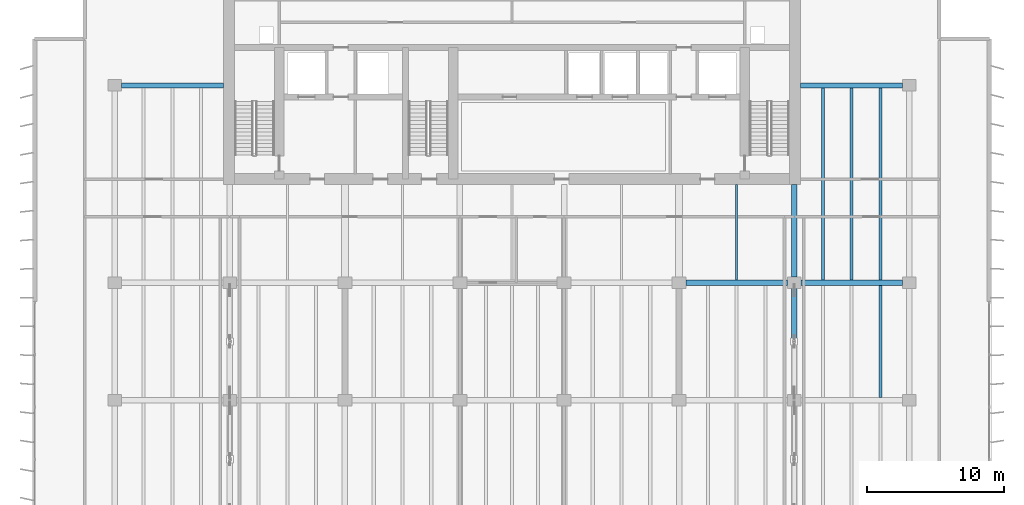
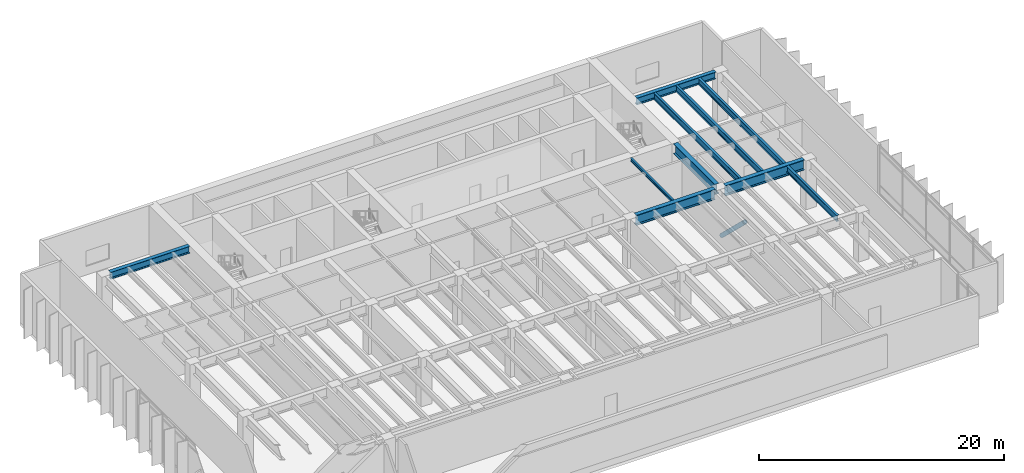
# One storey, part 8 of 18: 10 beams, 1 member.
"""IFC4 building model written with IfcOpenShell, lengths in metres."""

from ifc_helpers import new_model, si_unit, direction, frame, origin, origin_2d, place, context, subcontext, project, spatial, hollow_circle, i_section, extrude, material, material_profile, profile_set, type_object, element, save


model = new_model("IFC4")

# Units and contexts
model_context = context("Model", 3, precision=1e-05, world=origin(), true_north=direction((0.0, 1.0)))
body_context = subcontext(model_context, "Body", "Model", "MODEL_VIEW")
ifc_project = project(units=[si_unit("LENGTHUNIT", "METRE"), si_unit("AREAUNIT", "SQUARE_METRE"), si_unit("VOLUMEUNIT", "CUBIC_METRE"), si_unit("PLANEANGLEUNIT", "RADIAN"), si_unit("MASSUNIT", "GRAM", prefix="KILO")], contexts=[model_context])

# Site, building, storey
site_placement = place(None, origin())
site = spatial("IfcSite", under=ifc_project, at=site_placement, CompositionType="ELEMENT")
building_placement = place(site_placement, origin())
building = spatial("IfcBuilding", under=site, at=building_placement, Name="Caelmar Bay Residences", CompositionType="ELEMENT")
storey_placement = place(building_placement, frame((0.0, 0.0, 152.10009765625)))
storey = spatial("IfcBuildingStorey", under=building, at=storey_placement, Name="L42", CompositionType="ELEMENT", Elevation=152.10009765625)

# Beams
ifc_material_1 = material(Name="Steel ASTM A992 Grade 50", Category="steel")
ifc_material_profile_1 = material_profile(ifc_material_1, i_section(OverallWidth=0.404052734375, OverallDepth=1.02099609375, WebThickness=0.025390625, FlangeThickness=0.0458984375, FilletRadius=0.02294921875, at=origin_2d()), Name="W40X324")
ifc_profile_set_1 = profile_set([ifc_material_profile_1], Name="Steel ASTM A992 Grade 50")
beam_type_1 = type_object("IfcBeamType", Name="BM-GRD-W40X324", PredefinedType="BEAM", material=ifc_profile_set_1)
for number, where, z_axis, x_axis, name in (
    (1, (51.590087890625, 29.39990234375, 4.33935546875), (1.0, 0.0, 0.0), (0.0, 1.0, 0.0), "L42 East-West Girder Y=29.40 (51.1-59.5)"),
    (2, (59.989990234375, 29.39990234375, 4.33935546875), (1.0, 0.0, 0.0), (0.0, 1.0, 0.0), "L42 East-West Girder Y=29.40 (59.5-67.9)"),
):
    element("IfcBeam", number, at=place(storey_placement, frame(where, z_axis=z_axis, x_axis=x_axis)), inside=storey, type_object=beam_type_1, Name=name, PredefinedType="BEAM", context=body_context, shape_type="SweptSolid", body=[
        extrude(i_section(OverallWidth=0.404052734375, OverallDepth=1.02099609375, WebThickness=0.025390625, FlangeThickness=0.0458984375, FilletRadius=0.02294921875, at=origin_2d()), origin(), (0.0, 0.0, 1.0), 7.419921875),
    ])
beam_1_placement = place(storey_placement, frame((59.5, 29.81494140625, 4.33935546875), z_axis=(0.0, 1.0, 0.0), x_axis=(-1.0, 0.0, 0.0)))
element("IfcBeam", 3, at=beam_1_placement, inside=storey, type_object=beam_type_1, Name="L42 Core Tie Girder X=59.50", PredefinedType="BEAM", context=body_context, shape_type="SweptSolid", body=[
    extrude(i_section(OverallWidth=0.404052734375, OverallDepth=1.02099609375, WebThickness=0.025390625, FlangeThickness=0.0458984375, FilletRadius=0.02294921875, at=origin_2d()), origin(), (0.0, 0.0, 1.0), 6.735107421875),
])
ifc_material_profile_2 = material_profile(ifc_material_1, i_section(OverallWidth=0.1650390625, OverallDepth=0.31005859375, WebThickness=0.005859375, FlangeThickness=0.009765625, FilletRadius=0.007568359375, at=origin_2d()), Name="W12X26")
ifc_profile_set_2 = profile_set([ifc_material_profile_2], Name="Steel ASTM A992 Grade 50")
beam_type_2 = type_object("IfcBeamType", Name="BM-JST-W12X26", PredefinedType="JOIST", material=ifc_profile_set_2)
beam_2_placement = place(storey_placement, frame((55.300048828125, 29.60205078125, 4.69482421875), z_axis=(0.0, 1.0, 0.0), x_axis=(-1.0, 0.0, 0.0)))
element("IfcBeam", 4, at=beam_2_placement, inside=storey, type_object=beam_type_2, Name="L42 Core-Band Composite Joist 47", PredefinedType="JOIST", context=body_context, shape_type="SweptSolid", body=[
    extrude(i_section(OverallWidth=0.1650390625, OverallDepth=0.31005859375, WebThickness=0.005859375, FlangeThickness=0.009765625, FilletRadius=0.007568359375, at=origin_2d()), origin(), (0.0, 0.0, 1.0), 6.947998046875),
])
ifc_material_profile_3 = material_profile(ifc_material_1, i_section(OverallWidth=0.22900390625, OverallDepth=0.612060546875, WebThickness=0.011962890625, FlangeThickness=0.01953125, FilletRadius=0.0126953125, at=origin_2d()), Name="W24X84")
ifc_profile_set_3 = profile_set([ifc_material_profile_3], Name="Steel ASTM A992 Grade 50")
beam_type_3 = type_object("IfcBeamType", Name="BM-JST-W24X84", PredefinedType="JOIST", material=ifc_profile_set_3)
beam_3_placement = place(storey_placement, frame((65.800048828125, 21.001953125, 4.5439453125), z_axis=(0.0, 1.0, 0.0), x_axis=(-1.0, 0.0, 0.0)))
element("IfcBeam", 5, at=beam_3_placement, inside=storey, type_object=beam_type_3, Name="L42 Composite Floor Joist 42", PredefinedType="JOIST", context=body_context, shape_type="SweptSolid", body=[
    extrude(i_section(OverallWidth=0.22900390625, OverallDepth=0.612060546875, WebThickness=0.011962890625, FlangeThickness=0.01953125, FilletRadius=0.0126953125, at=origin_2d()), origin(), (0.0, 0.0, 1.0), 8.196044921875),
])
for number, where, z_axis, x_axis, name in (
    (6, (61.60009765625, 29.60205078125, 4.5439453125), (0.0, 1.0, 0.0), (-1.0, 0.0, 0.0), "L42 Composite Floor Joist 51"),
    (7, (63.699951171875, 29.60205078125, 4.5439453125), (0.0, 1.0, 0.0), (-1.0, 0.0, 0.0), "L42 Composite Floor Joist 52"),
    (8, (65.800048828125, 29.60205078125, 4.5439453125), (0.0, 1.0, 0.0), (-1.0, 0.0, 0.0), "L42 Composite Floor Joist 53"),
):
    element("IfcBeam", number, at=place(storey_placement, frame(where, z_axis=z_axis, x_axis=x_axis)), inside=storey, type_object=beam_type_3, Name=name, PredefinedType="JOIST", context=body_context, shape_type="SweptSolid", body=[
        extrude(i_section(OverallWidth=0.22900390625, OverallDepth=0.612060546875, WebThickness=0.011962890625, FlangeThickness=0.01953125, FilletRadius=0.0126953125, at=origin_2d()), origin(), (0.0, 0.0, 1.0), 14.02001953125),
    ])
ifc_material_profile_4 = material_profile(ifc_material_1, i_section(OverallWidth=0.35595703125, OverallDepth=0.696044921875, WebThickness=0.015380859375, FlangeThickness=0.02490234375, FilletRadius=0.01513671875, at=origin_2d()), Name="W27X146")
ifc_profile_set_4 = profile_set([ifc_material_profile_4], Name="Steel ASTM A992 Grade 50")
beam_type_4 = type_object("IfcBeamType", Name="BM-SPN-W27X146", PredefinedType="SPANDREL", material=ifc_profile_set_4)
beam_4_placement = place(storey_placement, frame((10.389892578125, 43.800048828125, 4.501953125), z_axis=(1.0, 0.0, 0.0), x_axis=(0.0, 1.0, 0.0)))
element("IfcBeam", 9, at=beam_4_placement, inside=storey, type_object=beam_type_4, Name="L42 North-West Wing Core Tie Girder", PredefinedType="SPANDREL", context=body_context, shape_type="SweptSolid", body=[
    extrude(i_section(OverallWidth=0.35595703125, OverallDepth=0.696044921875, WebThickness=0.015380859375, FlangeThickness=0.02490234375, FilletRadius=0.01513671875, at=origin_2d()), origin(), (0.0, 0.0, 1.0), 7.460205078125),
])
beam_5_placement = place(storey_placement, frame((59.949951171875, 43.800048828125, 4.501953125), z_axis=(1.0, 0.0, 0.0), x_axis=(0.0, 1.0, 0.0)))
element("IfcBeam", 10, at=beam_5_placement, inside=storey, type_object=beam_type_4, Name="L42 North-East Wing Core Tie Girder", PredefinedType="SPANDREL", context=body_context, shape_type="SweptSolid", body=[
    extrude(i_section(OverallWidth=0.35595703125, OverallDepth=0.696044921875, WebThickness=0.015380859375, FlangeThickness=0.02490234375, FilletRadius=0.01513671875, at=origin_2d()), origin(), (0.0, 0.0, 1.0), 7.4599609375),
])

# Member
ifc_material_2 = material(Name="Steel ASTM A500 Grade C", Category="steel")
ifc_material_profile_5 = material_profile(ifc_material_2, hollow_circle(Radius=0.202880859375, WallThickness=0.020751953125, at=origin_2d()), Name="CHS406X22.2")
ifc_profile_set_5 = profile_set([ifc_material_profile_5], Name="Steel ASTM A500 Grade C")
member_type = type_object("IfcMemberType", Name="MEM-OUT-CHS406", PredefinedType="BRACE", material=ifc_profile_set_5)
member_placement = place(storey_placement, frame((59.5, 28.985107421875, 0.219970703125), z_axis=(0.0, -0.720479267244, 0.693476477951), x_axis=(1.0, 0.0, 0.0)))
element("IfcMember", 11, at=member_placement, inside=storey, type_object=member_type, Name="L42 Outrigger Secondary Diagonal 4B", PredefinedType="BRACE", context=body_context, shape_type="SweptSolid", body=[
    extrude(hollow_circle(Radius=0.202880859375, WallThickness=0.020751953125, at=origin_2d()), origin(), (0.0, 0.0, 1.0), 5.225830078125),
])

save(model, "model.ifc")
